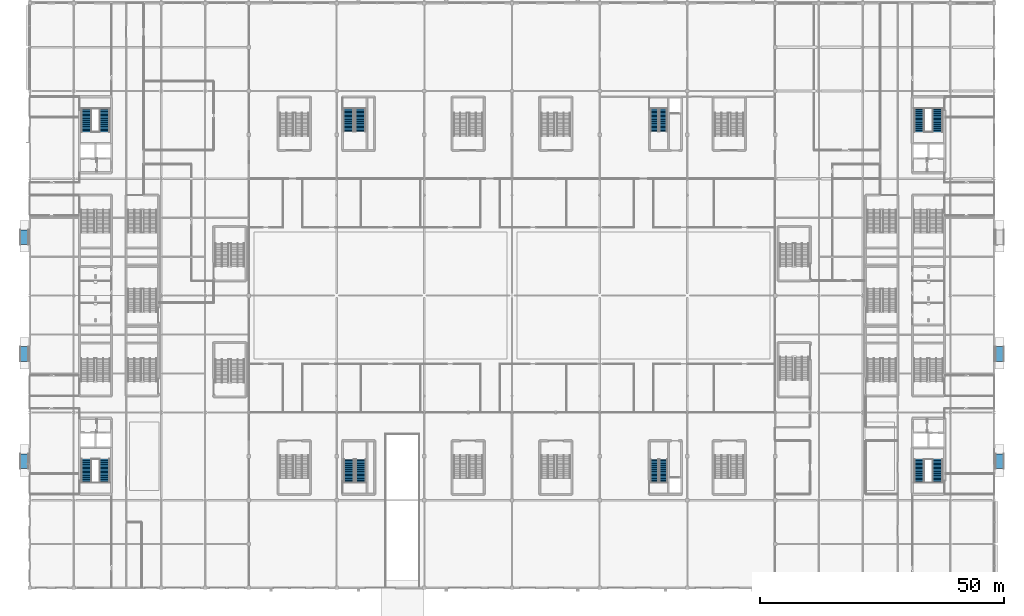
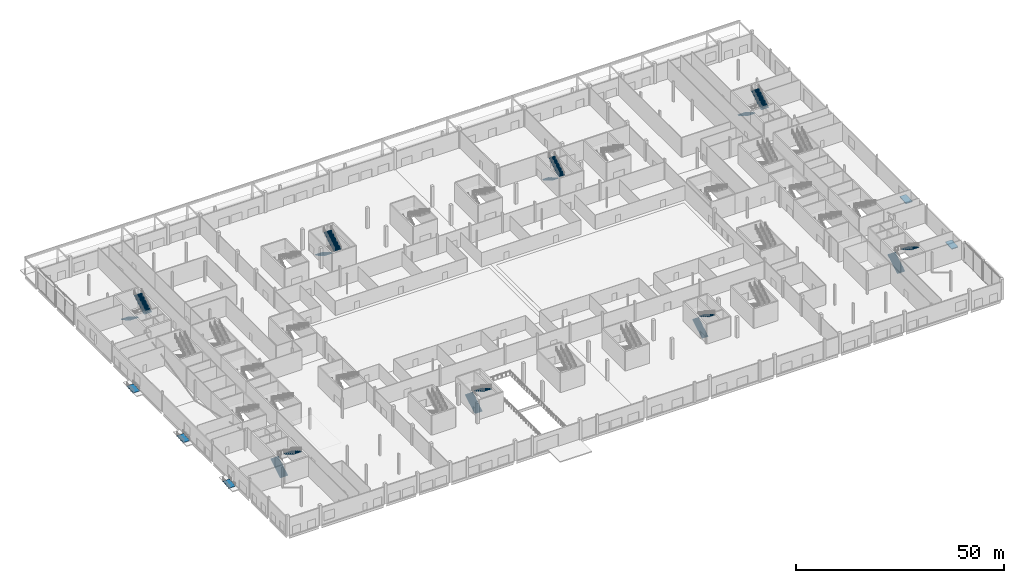
# One storey, part 44 of 84: 16 stair flights, 5 ramp flights, 13 elements without a shape of their own.
"""IFC4 building model written with IfcOpenShell, lengths in metres."""

from ifc_helpers import new_model, si_unit, direction, frame, origin, place, context, subcontext, project, spatial, polyline, outline, extrude, material, layer, layer_set, type_object, element, aggregate, save


model = new_model("IFC4")

# Units and contexts
model_context = context("Model", 3, precision=1e-05, world=origin(), true_north=direction((0.0, 1.0)))
body_context = subcontext(model_context, "Body", "Model", "MODEL_VIEW")
ifc_project = project(units=[si_unit("LENGTHUNIT", "METRE"), si_unit("AREAUNIT", "SQUARE_METRE"), si_unit("VOLUMEUNIT", "CUBIC_METRE"), si_unit("PLANEANGLEUNIT", "RADIAN"), si_unit("MASSUNIT", "GRAM", prefix="KILO")], contexts=[model_context])

# Site, building, storey
site_placement = place(None, origin())
site = spatial("IfcSite", under=ifc_project, at=site_placement, CompositionType="ELEMENT")
building_placement = place(site_placement, origin())
building = spatial("IfcBuilding", under=site, at=building_placement, Name="Kisiwana Market Hall", CompositionType="ELEMENT")
storey_placement = place(building_placement, origin())
storey = spatial("IfcBuildingStorey", under=building, at=storey_placement, Name="L00", CompositionType="ELEMENT", Elevation=0.0)

# Stair, stair flights
ifc_material_1 = material(Name="Concrete C32/40", Category="concrete")
stair_type = type_object("IfcStairType", Name="ST-POD-6000", PredefinedType="TWO_STRAIGHT_RUN_STAIR", material=ifc_material_1)
stair_1_placement = place(storey_placement, origin())
stair_1 = element("IfcStair", 1, at=stair_1_placement, inside=storey, type_object=stair_type, Name="Escape stair ST-W2-L00", PredefinedType="TWO_STRAIGHT_RUN_STAIR")
ifc_material_2 = material(Name="Concrete C32/40", Category="concrete")
stair_flight_type = type_object("IfcStairFlightType", Name="SF-POD-6000", PredefinedType="STRAIGHT", material=ifc_material_2)
stair_flight_1_placement = place(storey_placement, frame((11.625, 21.674560546875, 0.0), z_axis=(0.0, 0.0, 1.0), x_axis=(0.0, 1.0, 0.0)))
stair_flight_1 = element("IfcStairFlight", 2, at=stair_flight_1_placement, type_object=stair_flight_type, Name="ST-W2-L00 flight 1", NumberOfRisers=18, NumberOfTreads=17, PredefinedType="STRAIGHT", RiserHeight=0.166667, TreadLength=0.28, context=body_context, shape_type="SweptSolid", body=[
    extrude(outline(polyline([(0.0, 0.0), (0.0, 0.166748046875), (0.280029296875, 0.166748046875), (0.280029296875, 0.333251953125), (0.56005859375, 0.333251953125), (0.56005859375, 0.5), (0.840087890625, 0.5), (0.840087890625, 0.666748046875), (1.1201171875, 0.666748046875), (1.1201171875, 0.833251953125), (1.39990234375, 0.833251953125), (1.39990234375, 1.0), (1.679931640625, 1.0), (1.679931640625, 1.166748046875), (1.9599609375, 1.166748046875), (1.9599609375, 1.333251953125), (2.239990234375, 1.333251953125), (2.239990234375, 1.5), (2.52001953125, 1.5), (2.52001953125, 1.666748046875), (2.800048828125, 1.666748046875), (2.800048828125, 1.833251953125), (3.080078125, 1.833251953125), (3.080078125, 2.0), (3.360107421875, 2.0), (3.360107421875, 2.166748046875), (3.639892578125, 2.166748046875), (3.639892578125, 2.333251953125), (3.919921875, 2.333251953125), (3.919921875, 2.5), (4.199951171875, 2.5), (4.199951171875, 2.666748046875), (4.47998046875, 2.666748046875), (4.47998046875, 2.833251953125), (4.760009765625, 2.833251953125), (4.760009765625, 3.0), (4.760009765625, 2.6240234375), (0.351806640625, 0.0), (0.0, 0.0)])), frame((0.0, 1.050048828125, 0.0), z_axis=(0.0, -1.0, 0.0), x_axis=(1.0, 0.0, 0.0)), (0.0, 0.0, 1.0), 2.10009765625),
])
stair_flight_2_placement = place(storey_placement, frame((15.375, 26.4345703125, 3.0), z_axis=(0.0, 0.0, 1.0), x_axis=(0.0, -1.0, 0.0)))
stair_flight_2 = element("IfcStairFlight", 3, at=stair_flight_2_placement, type_object=stair_flight_type, Name="ST-W2-L00 flight 2", NumberOfRisers=18, NumberOfTreads=17, PredefinedType="STRAIGHT", RiserHeight=0.166667, TreadLength=0.28, context=body_context, shape_type="SweptSolid", body=[
    extrude(outline(polyline([(0.0, 0.0), (0.0, 0.166748046875), (0.280029296875, 0.166748046875), (0.280029296875, 0.333251953125), (0.56005859375, 0.333251953125), (0.56005859375, 0.5), (0.840087890625, 0.5), (0.840087890625, 0.666748046875), (1.1201171875, 0.666748046875), (1.1201171875, 0.833251953125), (1.39990234375, 0.833251953125), (1.39990234375, 1.0), (1.679931640625, 1.0), (1.679931640625, 1.166748046875), (1.9599609375, 1.166748046875), (1.9599609375, 1.333251953125), (2.239990234375, 1.333251953125), (2.239990234375, 1.5), (2.52001953125, 1.5), (2.52001953125, 1.666748046875), (2.800048828125, 1.666748046875), (2.800048828125, 1.833251953125), (3.080078125, 1.833251953125), (3.080078125, 2.0), (3.360107421875, 2.0), (3.360107421875, 2.166748046875), (3.639892578125, 2.166748046875), (3.639892578125, 2.333251953125), (3.919921875, 2.333251953125), (3.919921875, 2.5), (4.199951171875, 2.5), (4.199951171875, 2.666748046875), (4.47998046875, 2.666748046875), (4.47998046875, 2.833251953125), (4.760009765625, 2.833251953125), (4.760009765625, 3.0), (4.760009765625, 2.6240234375), (0.351806640625, 0.0), (0.0, 0.0)])), frame((0.0, 1.050048828125, 0.0), z_axis=(0.0, -1.0, 0.0), x_axis=(1.0, 0.0, 0.0)), (0.0, 0.0, 1.0), 2.10009765625),
])
aggregate(stair_1, [stair_flight_1, stair_flight_2])

stair_2_placement = place(storey_placement, origin())
stair_2 = element("IfcStair", 4, at=stair_2_placement, inside=storey, type_object=stair_type, Name="Escape stair ST-W1-L00", PredefinedType="TWO_STRAIGHT_RUN_STAIR")
stair_flight_3_placement = place(storey_placement, frame((11.625, 98.325439453125, 0.0), z_axis=(0.0, 0.0, 1.0), x_axis=(0.0, -1.0, 0.0)))
stair_flight_3 = element("IfcStairFlight", 5, at=stair_flight_3_placement, type_object=stair_flight_type, Name="ST-W1-L00 flight 1", NumberOfRisers=18, NumberOfTreads=17, PredefinedType="STRAIGHT", RiserHeight=0.166667, TreadLength=0.28, context=body_context, shape_type="SweptSolid", body=[
    extrude(outline(polyline([(0.0, 0.0), (0.0, 0.166748046875), (0.280029296875, 0.166748046875), (0.280029296875, 0.333251953125), (0.56005859375, 0.333251953125), (0.56005859375, 0.5), (0.840087890625, 0.5), (0.840087890625, 0.666748046875), (1.1201171875, 0.666748046875), (1.1201171875, 0.833251953125), (1.39990234375, 0.833251953125), (1.39990234375, 1.0), (1.679931640625, 1.0), (1.679931640625, 1.166748046875), (1.9599609375, 1.166748046875), (1.9599609375, 1.333251953125), (2.239990234375, 1.333251953125), (2.239990234375, 1.5), (2.52001953125, 1.5), (2.52001953125, 1.666748046875), (2.800048828125, 1.666748046875), (2.800048828125, 1.833251953125), (3.080078125, 1.833251953125), (3.080078125, 2.0), (3.360107421875, 2.0), (3.360107421875, 2.166748046875), (3.639892578125, 2.166748046875), (3.639892578125, 2.333251953125), (3.919921875, 2.333251953125), (3.919921875, 2.5), (4.199951171875, 2.5), (4.199951171875, 2.666748046875), (4.47998046875, 2.666748046875), (4.47998046875, 2.833251953125), (4.760009765625, 2.833251953125), (4.760009765625, 3.0), (4.760009765625, 2.6240234375), (0.351806640625, 0.0), (0.0, 0.0)])), frame((0.0, 1.050048828125, 0.0), z_axis=(0.0, -1.0, 0.0), x_axis=(1.0, 0.0, 0.0)), (0.0, 0.0, 1.0), 2.10009765625),
])
stair_flight_4_placement = place(storey_placement, frame((15.375, 93.5654296875, 3.0), z_axis=(0.0, 0.0, 1.0), x_axis=(0.0, 1.0, 0.0)))
stair_flight_4 = element("IfcStairFlight", 6, at=stair_flight_4_placement, type_object=stair_flight_type, Name="ST-W1-L00 flight 2", NumberOfRisers=18, NumberOfTreads=17, PredefinedType="STRAIGHT", RiserHeight=0.166667, TreadLength=0.28, context=body_context, shape_type="SweptSolid", body=[
    extrude(outline(polyline([(0.0, 0.0), (0.0, 0.166748046875), (0.280029296875, 0.166748046875), (0.280029296875, 0.333251953125), (0.56005859375, 0.333251953125), (0.56005859375, 0.5), (0.840087890625, 0.5), (0.840087890625, 0.666748046875), (1.1201171875, 0.666748046875), (1.1201171875, 0.833251953125), (1.39990234375, 0.833251953125), (1.39990234375, 1.0), (1.679931640625, 1.0), (1.679931640625, 1.166748046875), (1.9599609375, 1.166748046875), (1.9599609375, 1.333251953125), (2.239990234375, 1.333251953125), (2.239990234375, 1.5), (2.52001953125, 1.5), (2.52001953125, 1.666748046875), (2.800048828125, 1.666748046875), (2.800048828125, 1.833251953125), (3.080078125, 1.833251953125), (3.080078125, 2.0), (3.360107421875, 2.0), (3.360107421875, 2.166748046875), (3.639892578125, 2.166748046875), (3.639892578125, 2.333251953125), (3.919921875, 2.333251953125), (3.919921875, 2.5), (4.199951171875, 2.5), (4.199951171875, 2.666748046875), (4.47998046875, 2.666748046875), (4.47998046875, 2.833251953125), (4.760009765625, 2.833251953125), (4.760009765625, 3.0), (4.760009765625, 2.6240234375), (0.351806640625, 0.0), (0.0, 0.0)])), frame((0.0, 1.050048828125, 0.0), z_axis=(0.0, -1.0, 0.0), x_axis=(1.0, 0.0, 0.0)), (0.0, 0.0, 1.0), 2.10009765625),
])
aggregate(stair_2, [stair_flight_3, stair_flight_4])

stair_3_placement = place(storey_placement, origin())
stair_3 = element("IfcStair", 7, at=stair_3_placement, inside=storey, type_object=stair_type, Name="Escape stair ST-E2-L00", PredefinedType="TWO_STRAIGHT_RUN_STAIR")
stair_flight_5_placement = place(storey_placement, frame((182.60009765625, 21.6494140625, 0.0), z_axis=(0.0, 0.0, 1.0), x_axis=(0.0, 1.0, 0.0)))
stair_flight_5 = element("IfcStairFlight", 8, at=stair_flight_5_placement, type_object=stair_flight_type, Name="ST-E2-L00 flight 1", NumberOfRisers=18, NumberOfTreads=17, PredefinedType="STRAIGHT", RiserHeight=0.166667, TreadLength=0.28, context=body_context, shape_type="SweptSolid", body=[
    extrude(outline(polyline([(0.0, 0.0), (0.0, 0.166748046875), (0.280029296875, 0.166748046875), (0.280029296875, 0.333251953125), (0.56005859375, 0.333251953125), (0.56005859375, 0.5), (0.840087890625, 0.5), (0.840087890625, 0.666748046875), (1.1201171875, 0.666748046875), (1.1201171875, 0.833251953125), (1.39990234375, 0.833251953125), (1.39990234375, 1.0), (1.679931640625, 1.0), (1.679931640625, 1.166748046875), (1.9599609375, 1.166748046875), (1.9599609375, 1.333251953125), (2.239990234375, 1.333251953125), (2.239990234375, 1.5), (2.52001953125, 1.5), (2.52001953125, 1.666748046875), (2.800048828125, 1.666748046875), (2.800048828125, 1.833251953125), (3.080078125, 1.833251953125), (3.080078125, 2.0), (3.360107421875, 2.0), (3.360107421875, 2.166748046875), (3.639892578125, 2.166748046875), (3.639892578125, 2.333251953125), (3.919921875, 2.333251953125), (3.919921875, 2.5), (4.199951171875, 2.5), (4.199951171875, 2.666748046875), (4.47998046875, 2.666748046875), (4.47998046875, 2.833251953125), (4.760009765625, 2.833251953125), (4.760009765625, 3.0), (4.760009765625, 2.6240234375), (0.351806640625, 0.0), (0.0, 0.0)])), frame((0.0, 1.050048828125, 0.0), z_axis=(0.0, -1.0, 0.0), x_axis=(1.0, 0.0, 0.0)), (0.0, 0.0, 1.0), 2.10009765625),
])
stair_flight_6_placement = place(storey_placement, frame((186.39990234375, 26.409423828125, 3.0), z_axis=(0.0, 0.0, 1.0), x_axis=(0.0, -1.0, 0.0)))
stair_flight_6 = element("IfcStairFlight", 9, at=stair_flight_6_placement, type_object=stair_flight_type, Name="ST-E2-L00 flight 2", NumberOfRisers=18, NumberOfTreads=17, PredefinedType="STRAIGHT", RiserHeight=0.166667, TreadLength=0.28, context=body_context, shape_type="SweptSolid", body=[
    extrude(outline(polyline([(0.0, 0.0), (0.0, 0.166748046875), (0.280029296875, 0.166748046875), (0.280029296875, 0.333251953125), (0.56005859375, 0.333251953125), (0.56005859375, 0.5), (0.840087890625, 0.5), (0.840087890625, 0.666748046875), (1.1201171875, 0.666748046875), (1.1201171875, 0.833251953125), (1.39990234375, 0.833251953125), (1.39990234375, 1.0), (1.679931640625, 1.0), (1.679931640625, 1.166748046875), (1.9599609375, 1.166748046875), (1.9599609375, 1.333251953125), (2.239990234375, 1.333251953125), (2.239990234375, 1.5), (2.52001953125, 1.5), (2.52001953125, 1.666748046875), (2.800048828125, 1.666748046875), (2.800048828125, 1.833251953125), (3.080078125, 1.833251953125), (3.080078125, 2.0), (3.360107421875, 2.0), (3.360107421875, 2.166748046875), (3.639892578125, 2.166748046875), (3.639892578125, 2.333251953125), (3.919921875, 2.333251953125), (3.919921875, 2.5), (4.199951171875, 2.5), (4.199951171875, 2.666748046875), (4.47998046875, 2.666748046875), (4.47998046875, 2.833251953125), (4.760009765625, 2.833251953125), (4.760009765625, 3.0), (4.760009765625, 2.6240234375), (0.351806640625, 0.0), (0.0, 0.0)])), frame((0.0, 1.050048828125, 0.0), z_axis=(0.0, -1.0, 0.0), x_axis=(1.0, 0.0, 0.0)), (0.0, 0.0, 1.0), 2.10009765625),
])
aggregate(stair_3, [stair_flight_5, stair_flight_6])

stair_4_placement = place(storey_placement, origin())
stair_4 = element("IfcStair", 10, at=stair_4_placement, inside=storey, type_object=stair_type, Name="Escape stair ST-E1-L00", PredefinedType="TWO_STRAIGHT_RUN_STAIR")
stair_flight_7_placement = place(storey_placement, frame((182.60009765625, 98.3505859375, 0.0), z_axis=(0.0, 0.0, 1.0), x_axis=(0.0, -1.0, 0.0)))
stair_flight_7 = element("IfcStairFlight", 11, at=stair_flight_7_placement, type_object=stair_flight_type, Name="ST-E1-L00 flight 1", NumberOfRisers=18, NumberOfTreads=17, PredefinedType="STRAIGHT", RiserHeight=0.166667, TreadLength=0.28, context=body_context, shape_type="SweptSolid", body=[
    extrude(outline(polyline([(0.0, 0.0), (0.0, 0.166748046875), (0.280029296875, 0.166748046875), (0.280029296875, 0.333251953125), (0.56005859375, 0.333251953125), (0.56005859375, 0.5), (0.840087890625, 0.5), (0.840087890625, 0.666748046875), (1.1201171875, 0.666748046875), (1.1201171875, 0.833251953125), (1.39990234375, 0.833251953125), (1.39990234375, 1.0), (1.679931640625, 1.0), (1.679931640625, 1.166748046875), (1.9599609375, 1.166748046875), (1.9599609375, 1.333251953125), (2.239990234375, 1.333251953125), (2.239990234375, 1.5), (2.52001953125, 1.5), (2.52001953125, 1.666748046875), (2.800048828125, 1.666748046875), (2.800048828125, 1.833251953125), (3.080078125, 1.833251953125), (3.080078125, 2.0), (3.360107421875, 2.0), (3.360107421875, 2.166748046875), (3.639892578125, 2.166748046875), (3.639892578125, 2.333251953125), (3.919921875, 2.333251953125), (3.919921875, 2.5), (4.199951171875, 2.5), (4.199951171875, 2.666748046875), (4.47998046875, 2.666748046875), (4.47998046875, 2.833251953125), (4.760009765625, 2.833251953125), (4.760009765625, 3.0), (4.760009765625, 2.6240234375), (0.351806640625, 0.0), (0.0, 0.0)])), frame((0.0, 1.050048828125, 0.0), z_axis=(0.0, -1.0, 0.0), x_axis=(1.0, 0.0, 0.0)), (0.0, 0.0, 1.0), 2.10009765625),
])
stair_flight_8_placement = place(storey_placement, frame((186.39990234375, 93.590576171875, 3.0), z_axis=(0.0, 0.0, 1.0), x_axis=(0.0, 1.0, 0.0)))
stair_flight_8 = element("IfcStairFlight", 12, at=stair_flight_8_placement, type_object=stair_flight_type, Name="ST-E1-L00 flight 2", NumberOfRisers=18, NumberOfTreads=17, PredefinedType="STRAIGHT", RiserHeight=0.166667, TreadLength=0.28, context=body_context, shape_type="SweptSolid", body=[
    extrude(outline(polyline([(0.0, 0.0), (0.0, 0.166748046875), (0.280029296875, 0.166748046875), (0.280029296875, 0.333251953125), (0.56005859375, 0.333251953125), (0.56005859375, 0.5), (0.840087890625, 0.5), (0.840087890625, 0.666748046875), (1.1201171875, 0.666748046875), (1.1201171875, 0.833251953125), (1.39990234375, 0.833251953125), (1.39990234375, 1.0), (1.679931640625, 1.0), (1.679931640625, 1.166748046875), (1.9599609375, 1.166748046875), (1.9599609375, 1.333251953125), (2.239990234375, 1.333251953125), (2.239990234375, 1.5), (2.52001953125, 1.5), (2.52001953125, 1.666748046875), (2.800048828125, 1.666748046875), (2.800048828125, 1.833251953125), (3.080078125, 1.833251953125), (3.080078125, 2.0), (3.360107421875, 2.0), (3.360107421875, 2.166748046875), (3.639892578125, 2.166748046875), (3.639892578125, 2.333251953125), (3.919921875, 2.333251953125), (3.919921875, 2.5), (4.199951171875, 2.5), (4.199951171875, 2.666748046875), (4.47998046875, 2.666748046875), (4.47998046875, 2.833251953125), (4.760009765625, 2.833251953125), (4.760009765625, 3.0), (4.760009765625, 2.6240234375), (0.351806640625, 0.0), (0.0, 0.0)])), frame((0.0, 1.050048828125, 0.0), z_axis=(0.0, -1.0, 0.0), x_axis=(1.0, 0.0, 0.0)), (0.0, 0.0, 1.0), 2.10009765625),
])
aggregate(stair_4, [stair_flight_7, stair_flight_8])

stair_5_placement = place(storey_placement, origin())
stair_5 = element("IfcStair", 13, at=stair_5_placement, inside=storey, type_object=stair_type, Name="Escape stair ST-S1-L00", PredefinedType="TWO_STRAIGHT_RUN_STAIR")
stair_flight_9_placement = place(storey_placement, frame((65.489990234375, 21.62939453125, 0.0), z_axis=(0.0, 0.0, 1.0), x_axis=(0.0, 1.0, 0.0)))
stair_flight_9 = element("IfcStairFlight", 14, at=stair_flight_9_placement, type_object=stair_flight_type, Name="ST-S1-L00 flight 1", NumberOfRisers=18, NumberOfTreads=17, PredefinedType="STRAIGHT", RiserHeight=0.166667, TreadLength=0.28, context=body_context, shape_type="SweptSolid", body=[
    extrude(outline(polyline([(0.0, 0.0), (0.0, 0.166748046875), (0.280029296875, 0.166748046875), (0.280029296875, 0.333251953125), (0.56005859375, 0.333251953125), (0.56005859375, 0.5), (0.840087890625, 0.5), (0.840087890625, 0.666748046875), (1.1201171875, 0.666748046875), (1.1201171875, 0.833251953125), (1.39990234375, 0.833251953125), (1.39990234375, 1.0), (1.679931640625, 1.0), (1.679931640625, 1.166748046875), (1.9599609375, 1.166748046875), (1.9599609375, 1.333251953125), (2.239990234375, 1.333251953125), (2.239990234375, 1.5), (2.52001953125, 1.5), (2.52001953125, 1.666748046875), (2.800048828125, 1.666748046875), (2.800048828125, 1.833251953125), (3.080078125, 1.833251953125), (3.080078125, 2.0), (3.360107421875, 2.0), (3.360107421875, 2.166748046875), (3.639892578125, 2.166748046875), (3.639892578125, 2.333251953125), (3.919921875, 2.333251953125), (3.919921875, 2.5), (4.199951171875, 2.5), (4.199951171875, 2.666748046875), (4.47998046875, 2.666748046875), (4.47998046875, 2.833251953125), (4.760009765625, 2.833251953125), (4.760009765625, 3.0), (4.760009765625, 2.6240234375), (0.351806640625, 0.0), (0.0, 0.0)])), frame((0.0, 1.050048828125, 0.0), z_axis=(0.0, -1.0, 0.0), x_axis=(1.0, 0.0, 0.0)), (0.0, 0.0, 1.0), 2.10009765625),
])
stair_flight_10_placement = place(storey_placement, frame((67.969970703125, 26.389404296875, 3.0), z_axis=(0.0, 0.0, 1.0), x_axis=(0.0, -1.0, 0.0)))
stair_flight_10 = element("IfcStairFlight", 15, at=stair_flight_10_placement, type_object=stair_flight_type, Name="ST-S1-L00 flight 2", NumberOfRisers=18, NumberOfTreads=17, PredefinedType="STRAIGHT", RiserHeight=0.166667, TreadLength=0.28, context=body_context, shape_type="SweptSolid", body=[
    extrude(outline(polyline([(0.0, 0.0), (0.0, 0.166748046875), (0.280029296875, 0.166748046875), (0.280029296875, 0.333251953125), (0.56005859375, 0.333251953125), (0.56005859375, 0.5), (0.840087890625, 0.5), (0.840087890625, 0.666748046875), (1.1201171875, 0.666748046875), (1.1201171875, 0.833251953125), (1.39990234375, 0.833251953125), (1.39990234375, 1.0), (1.679931640625, 1.0), (1.679931640625, 1.166748046875), (1.9599609375, 1.166748046875), (1.9599609375, 1.333251953125), (2.239990234375, 1.333251953125), (2.239990234375, 1.5), (2.52001953125, 1.5), (2.52001953125, 1.666748046875), (2.800048828125, 1.666748046875), (2.800048828125, 1.833251953125), (3.080078125, 1.833251953125), (3.080078125, 2.0), (3.360107421875, 2.0), (3.360107421875, 2.166748046875), (3.639892578125, 2.166748046875), (3.639892578125, 2.333251953125), (3.919921875, 2.333251953125), (3.919921875, 2.5), (4.199951171875, 2.5), (4.199951171875, 2.666748046875), (4.47998046875, 2.666748046875), (4.47998046875, 2.833251953125), (4.760009765625, 2.833251953125), (4.760009765625, 3.0), (4.760009765625, 2.6240234375), (0.351806640625, 0.0), (0.0, 0.0)])), frame((0.0, 1.050048828125, 0.0), z_axis=(0.0, -1.0, 0.0), x_axis=(1.0, 0.0, 0.0)), (0.0, 0.0, 1.0), 2.10009765625),
])
aggregate(stair_5, [stair_flight_9, stair_flight_10])

stair_6_placement = place(storey_placement, origin())
stair_6 = element("IfcStair", 16, at=stair_6_placement, inside=storey, type_object=stair_type, Name="Escape stair ST-S2-L00", PredefinedType="TWO_STRAIGHT_RUN_STAIR")
stair_flight_11_placement = place(storey_placement, frame((128.280029296875, 21.62939453125, 0.0), z_axis=(0.0, 0.0, 1.0), x_axis=(0.0, 1.0, 0.0)))
stair_flight_11 = element("IfcStairFlight", 17, at=stair_flight_11_placement, type_object=stair_flight_type, Name="ST-S2-L00 flight 1", NumberOfRisers=18, NumberOfTreads=17, PredefinedType="STRAIGHT", RiserHeight=0.166667, TreadLength=0.28, context=body_context, shape_type="SweptSolid", body=[
    extrude(outline(polyline([(0.0, 0.0), (0.0, 0.166748046875), (0.280029296875, 0.166748046875), (0.280029296875, 0.333251953125), (0.56005859375, 0.333251953125), (0.56005859375, 0.5), (0.840087890625, 0.5), (0.840087890625, 0.666748046875), (1.1201171875, 0.666748046875), (1.1201171875, 0.833251953125), (1.39990234375, 0.833251953125), (1.39990234375, 1.0), (1.679931640625, 1.0), (1.679931640625, 1.166748046875), (1.9599609375, 1.166748046875), (1.9599609375, 1.333251953125), (2.239990234375, 1.333251953125), (2.239990234375, 1.5), (2.52001953125, 1.5), (2.52001953125, 1.666748046875), (2.800048828125, 1.666748046875), (2.800048828125, 1.833251953125), (3.080078125, 1.833251953125), (3.080078125, 2.0), (3.360107421875, 2.0), (3.360107421875, 2.166748046875), (3.639892578125, 2.166748046875), (3.639892578125, 2.333251953125), (3.919921875, 2.333251953125), (3.919921875, 2.5), (4.199951171875, 2.5), (4.199951171875, 2.666748046875), (4.47998046875, 2.666748046875), (4.47998046875, 2.833251953125), (4.760009765625, 2.833251953125), (4.760009765625, 3.0), (4.760009765625, 2.6240234375), (0.351806640625, 0.0), (0.0, 0.0)])), frame((0.0, 0.83984375, 0.0), z_axis=(0.0, -1.0, 0.0), x_axis=(1.0, 0.0, 0.0)), (0.0, 0.0, 1.0), 1.679931640625),
])
stair_flight_12_placement = place(storey_placement, frame((130.080078125, 26.389404296875, 3.0), z_axis=(0.0, 0.0, 1.0), x_axis=(0.0, -1.0, 0.0)))
stair_flight_12 = element("IfcStairFlight", 18, at=stair_flight_12_placement, type_object=stair_flight_type, Name="ST-S2-L00 flight 2", NumberOfRisers=18, NumberOfTreads=17, PredefinedType="STRAIGHT", RiserHeight=0.166667, TreadLength=0.28, context=body_context, shape_type="SweptSolid", body=[
    extrude(outline(polyline([(0.0, 0.0), (0.0, 0.166748046875), (0.280029296875, 0.166748046875), (0.280029296875, 0.333251953125), (0.56005859375, 0.333251953125), (0.56005859375, 0.5), (0.840087890625, 0.5), (0.840087890625, 0.666748046875), (1.1201171875, 0.666748046875), (1.1201171875, 0.833251953125), (1.39990234375, 0.833251953125), (1.39990234375, 1.0), (1.679931640625, 1.0), (1.679931640625, 1.166748046875), (1.9599609375, 1.166748046875), (1.9599609375, 1.333251953125), (2.239990234375, 1.333251953125), (2.239990234375, 1.5), (2.52001953125, 1.5), (2.52001953125, 1.666748046875), (2.800048828125, 1.666748046875), (2.800048828125, 1.833251953125), (3.080078125, 1.833251953125), (3.080078125, 2.0), (3.360107421875, 2.0), (3.360107421875, 2.166748046875), (3.639892578125, 2.166748046875), (3.639892578125, 2.333251953125), (3.919921875, 2.333251953125), (3.919921875, 2.5), (4.199951171875, 2.5), (4.199951171875, 2.666748046875), (4.47998046875, 2.666748046875), (4.47998046875, 2.833251953125), (4.760009765625, 2.833251953125), (4.760009765625, 3.0), (4.760009765625, 2.6240234375), (0.351806640625, 0.0), (0.0, 0.0)])), frame((0.0, 0.83984375, 0.0), z_axis=(0.0, -1.0, 0.0), x_axis=(1.0, 0.0, 0.0)), (0.0, 0.0, 1.0), 1.679931640625),
])
aggregate(stair_6, [stair_flight_11, stair_flight_12])

stair_7_placement = place(storey_placement, origin())
stair_7 = element("IfcStair", 19, at=stair_7_placement, inside=storey, type_object=stair_type, Name="Escape stair ST-N1-L00", PredefinedType="TWO_STRAIGHT_RUN_STAIR")
stair_flight_13_placement = place(storey_placement, frame((65.469970703125, 98.390380859375, 0.0), z_axis=(0.0, 0.0, 1.0), x_axis=(0.0, -1.0, 0.0)))
stair_flight_13 = element("IfcStairFlight", 20, at=stair_flight_13_placement, type_object=stair_flight_type, Name="ST-N1-L00 flight 1", NumberOfRisers=18, NumberOfTreads=17, PredefinedType="STRAIGHT", RiserHeight=0.166667, TreadLength=0.28, context=body_context, shape_type="SweptSolid", body=[
    extrude(outline(polyline([(0.0, 0.0), (0.0, 0.166748046875), (0.280029296875, 0.166748046875), (0.280029296875, 0.333251953125), (0.56005859375, 0.333251953125), (0.56005859375, 0.5), (0.840087890625, 0.5), (0.840087890625, 0.666748046875), (1.1201171875, 0.666748046875), (1.1201171875, 0.833251953125), (1.39990234375, 0.833251953125), (1.39990234375, 1.0), (1.679931640625, 1.0), (1.679931640625, 1.166748046875), (1.9599609375, 1.166748046875), (1.9599609375, 1.333251953125), (2.239990234375, 1.333251953125), (2.239990234375, 1.5), (2.52001953125, 1.5), (2.52001953125, 1.666748046875), (2.800048828125, 1.666748046875), (2.800048828125, 1.833251953125), (3.080078125, 1.833251953125), (3.080078125, 2.0), (3.360107421875, 2.0), (3.360107421875, 2.166748046875), (3.639892578125, 2.166748046875), (3.639892578125, 2.333251953125), (3.919921875, 2.333251953125), (3.919921875, 2.5), (4.199951171875, 2.5), (4.199951171875, 2.666748046875), (4.47998046875, 2.666748046875), (4.47998046875, 2.833251953125), (4.760009765625, 2.833251953125), (4.760009765625, 3.0), (4.760009765625, 2.6240234375), (0.351806640625, 0.0), (0.0, 0.0)])), frame((0.0, 1.050048828125, 0.0), z_axis=(0.0, -1.0, 0.0), x_axis=(1.0, 0.0, 0.0)), (0.0, 0.0, 1.0), 2.10009765625),
])
stair_flight_14_placement = place(storey_placement, frame((67.949951171875, 93.630615234375, 3.0), z_axis=(0.0, 0.0, 1.0), x_axis=(0.0, 1.0, 0.0)))
stair_flight_14 = element("IfcStairFlight", 21, at=stair_flight_14_placement, type_object=stair_flight_type, Name="ST-N1-L00 flight 2", NumberOfRisers=18, NumberOfTreads=17, PredefinedType="STRAIGHT", RiserHeight=0.166667, TreadLength=0.28, context=body_context, shape_type="SweptSolid", body=[
    extrude(outline(polyline([(0.0, 0.0), (0.0, 0.166748046875), (0.280029296875, 0.166748046875), (0.280029296875, 0.333251953125), (0.56005859375, 0.333251953125), (0.56005859375, 0.5), (0.840087890625, 0.5), (0.840087890625, 0.666748046875), (1.1201171875, 0.666748046875), (1.1201171875, 0.833251953125), (1.39990234375, 0.833251953125), (1.39990234375, 1.0), (1.679931640625, 1.0), (1.679931640625, 1.166748046875), (1.9599609375, 1.166748046875), (1.9599609375, 1.333251953125), (2.239990234375, 1.333251953125), (2.239990234375, 1.5), (2.52001953125, 1.5), (2.52001953125, 1.666748046875), (2.800048828125, 1.666748046875), (2.800048828125, 1.833251953125), (3.080078125, 1.833251953125), (3.080078125, 2.0), (3.360107421875, 2.0), (3.360107421875, 2.166748046875), (3.639892578125, 2.166748046875), (3.639892578125, 2.333251953125), (3.919921875, 2.333251953125), (3.919921875, 2.5), (4.199951171875, 2.5), (4.199951171875, 2.666748046875), (4.47998046875, 2.666748046875), (4.47998046875, 2.833251953125), (4.760009765625, 2.833251953125), (4.760009765625, 3.0), (4.760009765625, 2.6240234375), (0.351806640625, 0.0), (0.0, 0.0)])), frame((0.0, 1.050048828125, 0.0), z_axis=(0.0, -1.0, 0.0), x_axis=(1.0, 0.0, 0.0)), (0.0, 0.0, 1.0), 2.10009765625),
])
aggregate(stair_7, [stair_flight_13, stair_flight_14])

stair_8_placement = place(storey_placement, origin())
stair_8 = element("IfcStair", 22, at=stair_8_placement, inside=storey, type_object=stair_type, Name="Escape stair ST-N2-L00", PredefinedType="TWO_STRAIGHT_RUN_STAIR")
stair_flight_15_placement = place(storey_placement, frame((128.260009765625, 98.390380859375, 0.0), z_axis=(0.0, 0.0, 1.0), x_axis=(0.0, -1.0, 0.0)))
stair_flight_15 = element("IfcStairFlight", 23, at=stair_flight_15_placement, type_object=stair_flight_type, Name="ST-N2-L00 flight 1", NumberOfRisers=18, NumberOfTreads=17, PredefinedType="STRAIGHT", RiserHeight=0.166667, TreadLength=0.28, context=body_context, shape_type="SweptSolid", body=[
    extrude(outline(polyline([(0.0, 0.0), (0.0, 0.166748046875), (0.280029296875, 0.166748046875), (0.280029296875, 0.333251953125), (0.56005859375, 0.333251953125), (0.56005859375, 0.5), (0.840087890625, 0.5), (0.840087890625, 0.666748046875), (1.1201171875, 0.666748046875), (1.1201171875, 0.833251953125), (1.39990234375, 0.833251953125), (1.39990234375, 1.0), (1.679931640625, 1.0), (1.679931640625, 1.166748046875), (1.9599609375, 1.166748046875), (1.9599609375, 1.333251953125), (2.239990234375, 1.333251953125), (2.239990234375, 1.5), (2.52001953125, 1.5), (2.52001953125, 1.666748046875), (2.800048828125, 1.666748046875), (2.800048828125, 1.833251953125), (3.080078125, 1.833251953125), (3.080078125, 2.0), (3.360107421875, 2.0), (3.360107421875, 2.166748046875), (3.639892578125, 2.166748046875), (3.639892578125, 2.333251953125), (3.919921875, 2.333251953125), (3.919921875, 2.5), (4.199951171875, 2.5), (4.199951171875, 2.666748046875), (4.47998046875, 2.666748046875), (4.47998046875, 2.833251953125), (4.760009765625, 2.833251953125), (4.760009765625, 3.0), (4.760009765625, 2.6240234375), (0.351806640625, 0.0), (0.0, 0.0)])), frame((0.0, 0.83984375, 0.0), z_axis=(0.0, -1.0, 0.0), x_axis=(1.0, 0.0, 0.0)), (0.0, 0.0, 1.0), 1.679931640625),
])
stair_flight_16_placement = place(storey_placement, frame((130.06005859375, 93.630615234375, 3.0), z_axis=(0.0, 0.0, 1.0), x_axis=(0.0, 1.0, 0.0)))
stair_flight_16 = element("IfcStairFlight", 24, at=stair_flight_16_placement, type_object=stair_flight_type, Name="ST-N2-L00 flight 2", NumberOfRisers=18, NumberOfTreads=17, PredefinedType="STRAIGHT", RiserHeight=0.166667, TreadLength=0.28, context=body_context, shape_type="SweptSolid", body=[
    extrude(outline(polyline([(0.0, 0.0), (0.0, 0.166748046875), (0.280029296875, 0.166748046875), (0.280029296875, 0.333251953125), (0.56005859375, 0.333251953125), (0.56005859375, 0.5), (0.840087890625, 0.5), (0.840087890625, 0.666748046875), (1.1201171875, 0.666748046875), (1.1201171875, 0.833251953125), (1.39990234375, 0.833251953125), (1.39990234375, 1.0), (1.679931640625, 1.0), (1.679931640625, 1.166748046875), (1.9599609375, 1.166748046875), (1.9599609375, 1.333251953125), (2.239990234375, 1.333251953125), (2.239990234375, 1.5), (2.52001953125, 1.5), (2.52001953125, 1.666748046875), (2.800048828125, 1.666748046875), (2.800048828125, 1.833251953125), (3.080078125, 1.833251953125), (3.080078125, 2.0), (3.360107421875, 2.0), (3.360107421875, 2.166748046875), (3.639892578125, 2.166748046875), (3.639892578125, 2.333251953125), (3.919921875, 2.333251953125), (3.919921875, 2.5), (4.199951171875, 2.5), (4.199951171875, 2.666748046875), (4.47998046875, 2.666748046875), (4.47998046875, 2.833251953125), (4.760009765625, 2.833251953125), (4.760009765625, 3.0), (4.760009765625, 2.6240234375), (0.351806640625, 0.0), (0.0, 0.0)])), frame((0.0, 0.83984375, 0.0), z_axis=(0.0, -1.0, 0.0), x_axis=(1.0, 0.0, 0.0)), (0.0, 0.0, 1.0), 1.679931640625),
])
aggregate(stair_8, [stair_flight_15, stair_flight_16])

# Ramp, ramp flight
ifc_material_3 = material(Name="Concrete C32/40", Category="concrete")
ramp_type = type_object("IfcRampType", Name="RMP-PED-12", PredefinedType="STRAIGHT_RUN_RAMP", material=ifc_material_3)
ramp_1_placement = place(storey_placement, origin())
ramp_1 = element("IfcRamp", 25, at=ramp_1_placement, inside=storey, type_object=ramp_type, Name="West Market South Ramp", PredefinedType="STRAIGHT_RUN_RAMP")
ifc_material_4 = material(Name="Concrete C32/40", Category="concrete")
ifc_layer = layer(ifc_material_4, 0.199951171875)
ifc_layer_set = layer_set([ifc_layer], Name="RMPF-PED-12")
ramp_flight_type = type_object("IfcRampFlightType", Name="RMPF-PED-12", PredefinedType="STRAIGHT", material=ifc_layer_set)
ramp_flight_1_placement = place(storey_placement, frame((-1.10009765625, 24.5, -0.25), z_axis=(0.0, 0.0, 1.0), x_axis=(0.0, 1.0, 0.0)))
ramp_flight_1 = element("IfcRampFlight", 26, at=ramp_flight_1_placement, type_object=ramp_flight_type, Name="West Market South Ramp flight RP-005", PredefinedType="STRAIGHT", context=body_context, shape_type="SweptSolid", body=[
    extrude(outline(polyline([(0.0, -0.219970703125), (3.0, 0.030029296875), (3.0, 0.25), (0.0, 0.0), (0.0, -0.219970703125)])), frame((0.0, 0.89990234375, 0.0), z_axis=(0.0, -1.0, 0.0), x_axis=(1.0, 0.0, 0.0)), (0.0, 0.0, 1.0), 1.800048828125),
])
aggregate(ramp_1, [ramp_flight_1])

ramp_2_placement = place(storey_placement, origin())
ramp_2 = element("IfcRamp", 27, at=ramp_2_placement, inside=storey, type_object=ramp_type, Name="West Market Central Ramp", PredefinedType="STRAIGHT_RUN_RAMP")
ramp_flight_2_placement = place(storey_placement, frame((-1.10009765625, 46.5, -0.25), z_axis=(0.0, 0.0, 1.0), x_axis=(0.0, 1.0, 0.0)))
ramp_flight_2 = element("IfcRampFlight", 28, at=ramp_flight_2_placement, type_object=ramp_flight_type, Name="West Market Central Ramp flight RP-006", PredefinedType="STRAIGHT", context=body_context, shape_type="SweptSolid", body=[
    extrude(outline(polyline([(0.0, -0.219970703125), (3.0, 0.030029296875), (3.0, 0.25), (0.0, 0.0), (0.0, -0.219970703125)])), frame((0.0, 0.89990234375, 0.0), z_axis=(0.0, -1.0, 0.0), x_axis=(1.0, 0.0, 0.0)), (0.0, 0.0, 1.0), 1.800048828125),
])
aggregate(ramp_2, [ramp_flight_2])

ramp_3_placement = place(storey_placement, origin())
ramp_3 = element("IfcRamp", 29, at=ramp_3_placement, inside=storey, type_object=ramp_type, Name="West Market North Ramp", PredefinedType="STRAIGHT_RUN_RAMP")
ramp_flight_3_placement = place(storey_placement, frame((-1.10009765625, 70.5, -0.25), z_axis=(0.0, 0.0, 1.0), x_axis=(0.0, 1.0, 0.0)))
ramp_flight_3 = element("IfcRampFlight", 30, at=ramp_flight_3_placement, type_object=ramp_flight_type, Name="West Market North Ramp flight RP-007", PredefinedType="STRAIGHT", context=body_context, shape_type="SweptSolid", body=[
    extrude(outline(polyline([(0.0, -0.219970703125), (3.0, 0.030029296875), (3.0, 0.25), (0.0, 0.0), (0.0, -0.219970703125)])), frame((0.0, 0.89990234375, 0.0), z_axis=(0.0, -1.0, 0.0), x_axis=(1.0, 0.0, 0.0)), (0.0, 0.0, 1.0), 1.800048828125),
])
aggregate(ramp_3, [ramp_flight_3])

ramp_4_placement = place(storey_placement, origin())
ramp_4 = element("IfcRamp", 31, at=ramp_4_placement, inside=storey, type_object=ramp_type, Name="East Foyer South Ramp", PredefinedType="STRAIGHT_RUN_RAMP")
ramp_flight_4_placement = place(storey_placement, frame((199.10009765625, 24.5, -0.25), z_axis=(0.0, 0.0, 1.0), x_axis=(0.0, 1.0, 0.0)))
ramp_flight_4 = element("IfcRampFlight", 32, at=ramp_flight_4_placement, type_object=ramp_flight_type, Name="East Foyer South Ramp flight RP-001", PredefinedType="STRAIGHT", context=body_context, shape_type="SweptSolid", body=[
    extrude(outline(polyline([(0.0, -0.219970703125), (3.0, 0.030029296875), (3.0, 0.25), (0.0, 0.0), (0.0, -0.219970703125)])), frame((0.0, 0.89990234375, 0.0), z_axis=(0.0, -1.0, 0.0), x_axis=(1.0, 0.0, 0.0)), (0.0, 0.0, 1.0), 1.800048828125),
])
aggregate(ramp_4, [ramp_flight_4])

ramp_5_placement = place(storey_placement, origin())
ramp_5 = element("IfcRamp", 33, at=ramp_5_placement, inside=storey, type_object=ramp_type, Name="East Foyer Central Ramp", PredefinedType="STRAIGHT_RUN_RAMP")
ramp_flight_5_placement = place(storey_placement, frame((199.10009765625, 46.5, -0.25), z_axis=(0.0, 0.0, 1.0), x_axis=(0.0, 1.0, 0.0)))
ramp_flight_5 = element("IfcRampFlight", 34, at=ramp_flight_5_placement, type_object=ramp_flight_type, Name="East Foyer Central Ramp flight RP-002", PredefinedType="STRAIGHT", context=body_context, shape_type="SweptSolid", body=[
    extrude(outline(polyline([(0.0, -0.219970703125), (3.0, 0.030029296875), (3.0, 0.25), (0.0, 0.0), (0.0, -0.219970703125)])), frame((0.0, 0.89990234375, 0.0), z_axis=(0.0, -1.0, 0.0), x_axis=(1.0, 0.0, 0.0)), (0.0, 0.0, 1.0), 1.800048828125),
])
aggregate(ramp_5, [ramp_flight_5])

save(model, "model.ifc")
